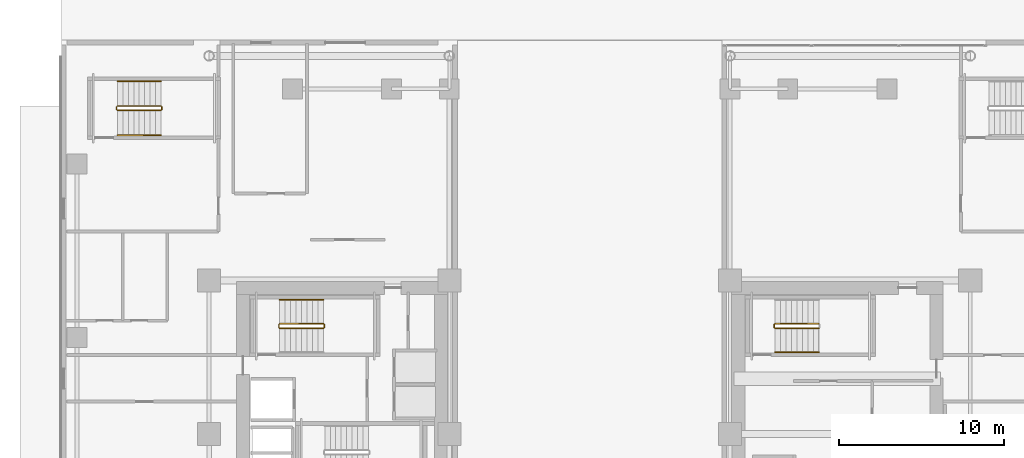
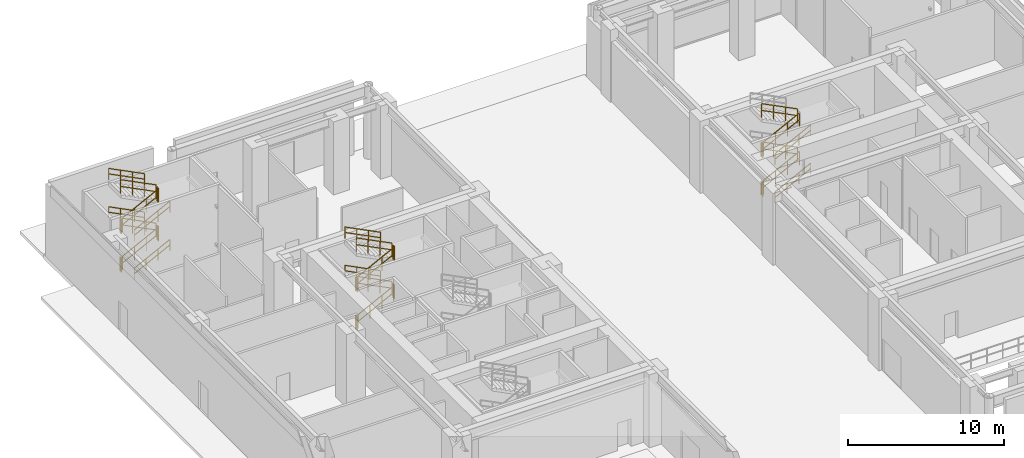
# One storey, part 14 of 17: 30 railings.
"""IFC4 building model written with IfcOpenShell, lengths in metres."""

from ifc_helpers import new_model, si_unit, direction, frame, origin, origin_2d, place, context, subcontext, project, spatial, rectangle, extrude, material, type_object, element, save


model = new_model("IFC4")

# Units and contexts
model_context = context("Model", 3, precision=1e-05, world=origin(), true_north=direction((0.0, 1.0)))
body_context = subcontext(model_context, "Body", "Model", "MODEL_VIEW")
ifc_project = project(units=[si_unit("LENGTHUNIT", "METRE"), si_unit("AREAUNIT", "SQUARE_METRE"), si_unit("VOLUMEUNIT", "CUBIC_METRE"), si_unit("PLANEANGLEUNIT", "RADIAN"), si_unit("MASSUNIT", "GRAM", prefix="KILO")], contexts=[model_context])

# Site, building, storey
site_placement = place(None, origin())
site = spatial("IfcSite", under=ifc_project, at=site_placement, CompositionType="ELEMENT")
building_placement = place(site_placement, origin())
building = spatial("IfcBuilding", under=site, at=building_placement, Name="Ocotamira Hotel", CompositionType="ELEMENT")
storey_placement = place(building_placement, origin())
storey = spatial("IfcBuildingStorey", under=building, at=storey_placement, Name="L01", CompositionType="ELEMENT", Elevation=0.0)

# Railings
ifc_material_1 = material(Name="Brushed stainless steel handrail", Category="steel")
railing_type_1 = type_object("IfcRailingType", Name="RL-HAND-900", PredefinedType="HANDRAIL", material=ifc_material_1)
for number, where, name in (
    (1, (15.8701171875, 36.280029296875, 1.833251953125), "L01 ST-2 stair handrail 2"),
    (2, (15.8701171875, 36.280029296875, 4.833251953125), "L01 ST-2 stair handrail 4"),
):
    element("IfcRailing", number, at=place(storey_placement, frame(where)), inside=storey, type_object=railing_type_1, Name=name, PredefinedType="HANDRAIL", context=body_context, shape_type="SweptSolid", body=[
        extrude(rectangle(XDim=0.048095703125, YDim=0.048095703125, at=origin_2d()), frame((0.0, 0.0, 0.8759765625), z_axis=(-0.892603904193, 0.0, 0.450841735223), x_axis=(0.0, -1.0, 0.0)), (0.0, 0.0, 1.0), 2.957763671875),
        extrude(rectangle(XDim=0.048095703125, YDim=0.048095703125, at=origin_2d()), frame((0.0, 0.0, 0.449951171875), z_axis=(-0.892603904193, 0.0, 0.450841735223), x_axis=(0.0, -1.0, 0.0)), (0.0, 0.0, 1.0), 2.957763671875),
        extrude(rectangle(XDim=0.0419921875, YDim=0.0419921875, at=origin_2d()), origin(), (0.0, 0.0, 1.0), 0.851806640625),
        extrude(rectangle(XDim=0.0419921875, YDim=0.0419921875, at=origin_2d()), frame((-0.880126953125, 0.0, 0.444580078125)), (0.0, 0.0, 1.0), 0.851806640625),
        extrude(rectangle(XDim=0.0419921875, YDim=0.0419921875, at=origin_2d()), frame((-1.760009765625, 0.0, 0.888916015625)), (0.0, 0.0, 1.0), 0.851806640625),
        extrude(rectangle(XDim=0.0419921875, YDim=0.0419921875, at=origin_2d()), frame((-2.64013671875, 0.0, 1.33349609375)), (0.0, 0.0, 1.0), 0.851806640625),
    ])
for number, where, name in (
    (3, (43.22998046875, 33.10009765625, 0.333251953125), "L01 ST-4 stair handrail 1"),
    (4, (43.22998046875, 33.10009765625, 3.333251953125), "L01 ST-4 stair handrail 3"),
    (5, (3.39990234375, 46.25, 0.333251953125), "L01 ST-5 stair handrail 1"),
):
    element("IfcRailing", number, at=place(storey_placement, frame(where)), inside=storey, type_object=railing_type_1, Name=name, PredefinedType="HANDRAIL", context=body_context, shape_type="SweptSolid", body=[
        extrude(rectangle(XDim=0.048095703125, YDim=0.048095703125, at=origin_2d()), frame((0.0, 0.0, 0.8759765625), z_axis=(0.892603904193, 0.0, 0.450841735223), x_axis=(0.0, 1.0, 0.0)), (0.0, 0.0, 1.0), 2.957763671875),
        extrude(rectangle(XDim=0.048095703125, YDim=0.048095703125, at=origin_2d()), frame((0.0, 0.0, 0.449951171875), z_axis=(0.892603904193, 0.0, 0.450841735223), x_axis=(0.0, 1.0, 0.0)), (0.0, 0.0, 1.0), 2.957763671875),
        extrude(rectangle(XDim=0.0419921875, YDim=0.0419921875, at=origin_2d()), origin(), (0.0, 0.0, 1.0), 0.851806640625),
        extrude(rectangle(XDim=0.0419921875, YDim=0.0419921875, at=origin_2d()), frame((0.880126953125, 0.0, 0.444580078125)), (0.0, 0.0, 1.0), 0.851806640625),
        extrude(rectangle(XDim=0.0419921875, YDim=0.0419921875, at=origin_2d()), frame((1.760009765625, 0.0, 0.888916015625)), (0.0, 0.0, 1.0), 0.851806640625),
        extrude(rectangle(XDim=0.0419921875, YDim=0.0419921875, at=origin_2d()), frame((2.64013671875, 0.0, 1.33349609375)), (0.0, 0.0, 1.0), 0.851806640625),
    ])
railing_1_placement = place(storey_placement, frame((6.0400390625, 49.510009765625, 1.833251953125)))
element("IfcRailing", 6, at=railing_1_placement, inside=storey, type_object=railing_type_1, Name="L01 ST-5 stair handrail 2", PredefinedType="HANDRAIL", context=body_context, shape_type="SweptSolid", body=[
    extrude(rectangle(XDim=0.048095703125, YDim=0.048095703125, at=origin_2d()), frame((0.0, 0.0, 0.8759765625), z_axis=(-0.892603904193, 0.0, 0.450841735223), x_axis=(0.0, -1.0, 0.0)), (0.0, 0.0, 1.0), 2.957763671875),
    extrude(rectangle(XDim=0.048095703125, YDim=0.048095703125, at=origin_2d()), frame((0.0, 0.0, 0.449951171875), z_axis=(-0.892603904193, 0.0, 0.450841735223), x_axis=(0.0, -1.0, 0.0)), (0.0, 0.0, 1.0), 2.957763671875),
    extrude(rectangle(XDim=0.0419921875, YDim=0.0419921875, at=origin_2d()), origin(), (0.0, 0.0, 1.0), 0.851806640625),
    extrude(rectangle(XDim=0.0419921875, YDim=0.0419921875, at=origin_2d()), frame((-0.880126953125, 0.0, 0.444580078125)), (0.0, 0.0, 1.0), 0.851806640625),
    extrude(rectangle(XDim=0.0419921875, YDim=0.0419921875, at=origin_2d()), frame((-1.760009765625, 0.0, 0.888916015625)), (0.0, 0.0, 1.0), 0.851806640625),
    extrude(rectangle(XDim=0.0419921875, YDim=0.0419921875, at=origin_2d()), frame((-2.64013671875, 0.0, 1.33349609375)), (0.0, 0.0, 1.0), 0.851806640625),
])
railing_2_placement = place(storey_placement, frame((3.39990234375, 46.25, 3.333251953125)))
element("IfcRailing", 7, at=railing_2_placement, inside=storey, type_object=railing_type_1, Name="L01 ST-5 stair handrail 3", PredefinedType="HANDRAIL", context=body_context, shape_type="SweptSolid", body=[
    extrude(rectangle(XDim=0.048095703125, YDim=0.048095703125, at=origin_2d()), frame((0.0, 0.0, 0.8759765625), z_axis=(0.892603904193, 0.0, 0.450841735223), x_axis=(0.0, 1.0, 0.0)), (0.0, 0.0, 1.0), 2.957763671875),
    extrude(rectangle(XDim=0.048095703125, YDim=0.048095703125, at=origin_2d()), frame((0.0, 0.0, 0.449951171875), z_axis=(0.892603904193, 0.0, 0.450841735223), x_axis=(0.0, 1.0, 0.0)), (0.0, 0.0, 1.0), 2.957763671875),
    extrude(rectangle(XDim=0.0419921875, YDim=0.0419921875, at=origin_2d()), origin(), (0.0, 0.0, 1.0), 0.851806640625),
    extrude(rectangle(XDim=0.0419921875, YDim=0.0419921875, at=origin_2d()), frame((0.880126953125, 0.0, 0.444580078125)), (0.0, 0.0, 1.0), 0.851806640625),
    extrude(rectangle(XDim=0.0419921875, YDim=0.0419921875, at=origin_2d()), frame((1.760009765625, 0.0, 0.888916015625)), (0.0, 0.0, 1.0), 0.851806640625),
    extrude(rectangle(XDim=0.0419921875, YDim=0.0419921875, at=origin_2d()), frame((2.64013671875, 0.0, 1.33349609375)), (0.0, 0.0, 1.0), 0.851806640625),
])
railing_3_placement = place(storey_placement, frame((6.0400390625, 49.510009765625, 4.833251953125)))
element("IfcRailing", 8, at=railing_3_placement, inside=storey, type_object=railing_type_1, Name="L01 ST-5 stair handrail 4", PredefinedType="HANDRAIL", context=body_context, shape_type="SweptSolid", body=[
    extrude(rectangle(XDim=0.048095703125, YDim=0.048095703125, at=origin_2d()), frame((0.0, 0.0, 0.8759765625), z_axis=(-0.892603904193, 0.0, 0.450841735223), x_axis=(0.0, -1.0, 0.0)), (0.0, 0.0, 1.0), 2.957763671875),
    extrude(rectangle(XDim=0.048095703125, YDim=0.048095703125, at=origin_2d()), frame((0.0, 0.0, 0.449951171875), z_axis=(-0.892603904193, 0.0, 0.450841735223), x_axis=(0.0, -1.0, 0.0)), (0.0, 0.0, 1.0), 2.957763671875),
    extrude(rectangle(XDim=0.0419921875, YDim=0.0419921875, at=origin_2d()), origin(), (0.0, 0.0, 1.0), 0.851806640625),
    extrude(rectangle(XDim=0.0419921875, YDim=0.0419921875, at=origin_2d()), frame((-0.880126953125, 0.0, 0.444580078125)), (0.0, 0.0, 1.0), 0.851806640625),
    extrude(rectangle(XDim=0.0419921875, YDim=0.0419921875, at=origin_2d()), frame((-1.760009765625, 0.0, 0.888916015625)), (0.0, 0.0, 1.0), 0.851806640625),
    extrude(rectangle(XDim=0.0419921875, YDim=0.0419921875, at=origin_2d()), frame((-2.64013671875, 0.0, 1.33349609375)), (0.0, 0.0, 1.0), 0.851806640625),
])
ifc_material_2 = material(Name="Painted steel stair guardrail", Category="steel")
railing_type_2 = type_object("IfcRailingType", Name="RL-STAIR-1100", PredefinedType="GUARDRAIL", material=ifc_material_2)
railing_4_placement = place(storey_placement, frame((13.22998046875, 34.56005859375, 0.166748046875)))
element("IfcRailing", 9, at=railing_4_placement, inside=storey, type_object=railing_type_2, Name="L01 ST-2 stair guard 1", PredefinedType="GUARDRAIL", context=body_context, shape_type="SweptSolid", body=[
    extrude(rectangle(XDim=0.048095703125, YDim=0.048095703125, at=origin_2d()), frame((0.0, 0.0, 1.076171875), z_axis=(0.892637119617, 0.0, 0.450775967286), x_axis=(0.0, 1.0, 0.0)), (0.0, 0.0, 1.0), 2.957763671875),
    extrude(rectangle(XDim=0.048095703125, YDim=0.048095703125, at=origin_2d()), frame((0.0, 0.0, 0.550048828125), z_axis=(0.892637119617, 0.0, 0.450775967286), x_axis=(0.0, 1.0, 0.0)), (0.0, 0.0, 1.0), 2.957763671875),
    extrude(rectangle(XDim=0.0419921875, YDim=0.0419921875, at=origin_2d()), origin(), (0.0, 0.0, 1.0), 1.052001953125),
    extrude(rectangle(XDim=0.0419921875, YDim=0.0419921875, at=origin_2d()), frame((0.880126953125, 0.0, 0.4443359375)), (0.0, 0.0, 1.0), 1.052001953125),
    extrude(rectangle(XDim=0.0419921875, YDim=0.0419921875, at=origin_2d()), frame((1.760009765625, 0.0, 0.888916015625)), (0.0, 0.0, 1.0), 1.052001953125),
    extrude(rectangle(XDim=0.0419921875, YDim=0.0419921875, at=origin_2d()), frame((2.64013671875, 0.0, 1.333251953125)), (0.0, 0.0, 1.0), 1.052001953125),
])
railing_5_placement = place(storey_placement, frame((15.919921875, 34.610107421875, 1.5)))
element("IfcRailing", 10, at=railing_5_placement, inside=storey, type_object=railing_type_2, Name="L01 ST-2 stair guard 2", PredefinedType="GUARDRAIL", context=body_context, shape_type="SweptSolid", body=[
    extrude(rectangle(XDim=0.048095703125, YDim=0.048095703125, at=origin_2d()), frame((0.0, 0.0, 1.076171875), z_axis=(0.0, 1.0, 0.0), x_axis=(-1.0, 0.0, 0.0)), (0.0, 0.0, 1.0), 0.159912109375),
    extrude(rectangle(XDim=0.048095703125, YDim=0.048095703125, at=origin_2d()), frame((0.0, 0.0, 0.550048828125), z_axis=(0.0, 1.0, 0.0), x_axis=(-1.0, 0.0, 0.0)), (0.0, 0.0, 1.0), 0.159912109375),
    extrude(rectangle(XDim=0.0419921875, YDim=0.0419921875, at=origin_2d()), origin(), (0.0, 0.0, 1.0), 1.052001953125),
    extrude(rectangle(XDim=0.0419921875, YDim=0.0419921875, at=origin_2d()), frame((0.0, 0.159912109375, 0.0)), (0.0, 0.0, 1.0), 1.052001953125),
])
railing_6_placement = place(storey_placement, frame((15.8701171875, 34.820068359375, 1.666748046875)))
element("IfcRailing", 11, at=railing_6_placement, inside=storey, type_object=railing_type_2, Name="L01 ST-2 stair guard 3", PredefinedType="GUARDRAIL", context=body_context, shape_type="SweptSolid", body=[
    extrude(rectangle(XDim=0.048095703125, YDim=0.048095703125, at=origin_2d()), frame((0.0, 0.0, 1.076171875), z_axis=(-0.892637119617, 0.0, 0.450775967286), x_axis=(0.0, -1.0, 0.0)), (0.0, 0.0, 1.0), 2.957763671875),
    extrude(rectangle(XDim=0.048095703125, YDim=0.048095703125, at=origin_2d()), frame((0.0, 0.0, 0.550048828125), z_axis=(-0.892637119617, 0.0, 0.450775967286), x_axis=(0.0, -1.0, 0.0)), (0.0, 0.0, 1.0), 2.957763671875),
    extrude(rectangle(XDim=0.0419921875, YDim=0.0419921875, at=origin_2d()), origin(), (0.0, 0.0, 1.0), 1.052001953125),
    extrude(rectangle(XDim=0.0419921875, YDim=0.0419921875, at=origin_2d()), frame((-0.880126953125, 0.0, 0.4443359375)), (0.0, 0.0, 1.0), 1.052001953125),
    extrude(rectangle(XDim=0.0419921875, YDim=0.0419921875, at=origin_2d()), frame((-1.760009765625, 0.0, 0.888916015625)), (0.0, 0.0, 1.0), 1.052001953125),
    extrude(rectangle(XDim=0.0419921875, YDim=0.0419921875, at=origin_2d()), frame((-2.64013671875, 0.0, 1.333251953125)), (0.0, 0.0, 1.0), 1.052001953125),
])
railing_7_placement = place(storey_placement, frame((13.179931640625, 34.610107421875, 3.0)))
element("IfcRailing", 12, at=railing_7_placement, inside=storey, type_object=railing_type_2, Name="L01 ST-2 stair guard 4", PredefinedType="GUARDRAIL", context=body_context, shape_type="SweptSolid", body=[
    extrude(rectangle(XDim=0.048095703125, YDim=0.048095703125, at=origin_2d()), frame((0.0, 0.0, 1.076171875), z_axis=(0.0, 1.0, 0.0), x_axis=(-1.0, 0.0, 0.0)), (0.0, 0.0, 1.0), 0.159912109375),
    extrude(rectangle(XDim=0.048095703125, YDim=0.048095703125, at=origin_2d()), frame((0.0, 0.0, 0.550048828125), z_axis=(0.0, 1.0, 0.0), x_axis=(-1.0, 0.0, 0.0)), (0.0, 0.0, 1.0), 0.159912109375),
    extrude(rectangle(XDim=0.0419921875, YDim=0.0419921875, at=origin_2d()), origin(), (0.0, 0.0, 1.0), 1.052001953125),
    extrude(rectangle(XDim=0.0419921875, YDim=0.0419921875, at=origin_2d()), frame((0.0, 0.159912109375, 0.0)), (0.0, 0.0, 1.0), 1.052001953125),
])
railing_8_placement = place(storey_placement, frame((13.22998046875, 34.56005859375, 3.166748046875)))
element("IfcRailing", 13, at=railing_8_placement, inside=storey, type_object=railing_type_2, Name="L01 ST-2 stair guard 5", PredefinedType="GUARDRAIL", context=body_context, shape_type="SweptSolid", body=[
    extrude(rectangle(XDim=0.048095703125, YDim=0.048095703125, at=origin_2d()), frame((0.0, 0.0, 1.076171875), z_axis=(0.892637119617, 0.0, 0.450775967286), x_axis=(0.0, 1.0, 0.0)), (0.0, 0.0, 1.0), 2.957763671875),
    extrude(rectangle(XDim=0.048095703125, YDim=0.048095703125, at=origin_2d()), frame((0.0, 0.0, 0.550048828125), z_axis=(0.892637119617, 0.0, 0.450775967286), x_axis=(0.0, 1.0, 0.0)), (0.0, 0.0, 1.0), 2.957763671875),
    extrude(rectangle(XDim=0.0419921875, YDim=0.0419921875, at=origin_2d()), origin(), (0.0, 0.0, 1.0), 1.052001953125),
    extrude(rectangle(XDim=0.0419921875, YDim=0.0419921875, at=origin_2d()), frame((0.880126953125, 0.0, 0.4443359375)), (0.0, 0.0, 1.0), 1.052001953125),
    extrude(rectangle(XDim=0.0419921875, YDim=0.0419921875, at=origin_2d()), frame((1.760009765625, 0.0, 0.888916015625)), (0.0, 0.0, 1.0), 1.052001953125),
    extrude(rectangle(XDim=0.0419921875, YDim=0.0419921875, at=origin_2d()), frame((2.64013671875, 0.0, 1.333251953125)), (0.0, 0.0, 1.0), 1.052001953125),
])
railing_9_placement = place(storey_placement, frame((15.919921875, 34.610107421875, 4.5)))
element("IfcRailing", 14, at=railing_9_placement, inside=storey, type_object=railing_type_2, Name="L01 ST-2 stair guard 6", PredefinedType="GUARDRAIL", context=body_context, shape_type="SweptSolid", body=[
    extrude(rectangle(XDim=0.048095703125, YDim=0.048095703125, at=origin_2d()), frame((0.0, 0.0, 1.076171875), z_axis=(0.0, 1.0, 0.0), x_axis=(-1.0, 0.0, 0.0)), (0.0, 0.0, 1.0), 0.159912109375),
    extrude(rectangle(XDim=0.048095703125, YDim=0.048095703125, at=origin_2d()), frame((0.0, 0.0, 0.550048828125), z_axis=(0.0, 1.0, 0.0), x_axis=(-1.0, 0.0, 0.0)), (0.0, 0.0, 1.0), 0.159912109375),
    extrude(rectangle(XDim=0.0419921875, YDim=0.0419921875, at=origin_2d()), origin(), (0.0, 0.0, 1.0), 1.052001953125),
    extrude(rectangle(XDim=0.0419921875, YDim=0.0419921875, at=origin_2d()), frame((0.0, 0.159912109375, 0.0)), (0.0, 0.0, 1.0), 1.052001953125),
])
railing_10_placement = place(storey_placement, frame((15.8701171875, 34.820068359375, 4.666748046875)))
element("IfcRailing", 15, at=railing_10_placement, inside=storey, type_object=railing_type_2, Name="L01 ST-2 stair guard 7", PredefinedType="GUARDRAIL", context=body_context, shape_type="SweptSolid", body=[
    extrude(rectangle(XDim=0.048095703125, YDim=0.048095703125, at=origin_2d()), frame((0.0, 0.0, 1.076171875), z_axis=(-0.892637119617, 0.0, 0.450775967286), x_axis=(0.0, -1.0, 0.0)), (0.0, 0.0, 1.0), 2.957763671875),
    extrude(rectangle(XDim=0.048095703125, YDim=0.048095703125, at=origin_2d()), frame((0.0, 0.0, 0.550048828125), z_axis=(-0.892637119617, 0.0, 0.450775967286), x_axis=(0.0, -1.0, 0.0)), (0.0, 0.0, 1.0), 2.957763671875),
    extrude(rectangle(XDim=0.0419921875, YDim=0.0419921875, at=origin_2d()), origin(), (0.0, 0.0, 1.0), 1.052001953125),
    extrude(rectangle(XDim=0.0419921875, YDim=0.0419921875, at=origin_2d()), frame((-0.880126953125, 0.0, 0.4443359375)), (0.0, 0.0, 1.0), 1.052001953125),
    extrude(rectangle(XDim=0.0419921875, YDim=0.0419921875, at=origin_2d()), frame((-1.760009765625, 0.0, 0.888916015625)), (0.0, 0.0, 1.0), 1.052001953125),
    extrude(rectangle(XDim=0.0419921875, YDim=0.0419921875, at=origin_2d()), frame((-2.64013671875, 0.0, 1.333251953125)), (0.0, 0.0, 1.0), 1.052001953125),
])
railing_11_placement = place(storey_placement, frame((13.179931640625, 34.610107421875, 0.0)))
element("IfcRailing", 16, at=railing_11_placement, inside=storey, type_object=railing_type_2, Name="L01 ST-2 stair guard 8", PredefinedType="GUARDRAIL", context=body_context, shape_type="SweptSolid", body=[
    extrude(rectangle(XDim=0.048095703125, YDim=0.048095703125, at=origin_2d()), frame((0.0, 0.0, 1.076171875), z_axis=(0.0, 1.0, 0.0), x_axis=(-1.0, 0.0, 0.0)), (0.0, 0.0, 1.0), 0.159912109375),
    extrude(rectangle(XDim=0.048095703125, YDim=0.048095703125, at=origin_2d()), frame((0.0, 0.0, 0.550048828125), z_axis=(0.0, 1.0, 0.0), x_axis=(-1.0, 0.0, 0.0)), (0.0, 0.0, 1.0), 0.159912109375),
    extrude(rectangle(XDim=0.0419921875, YDim=0.0419921875, at=origin_2d()), origin(), (0.0, 0.0, 1.0), 1.052001953125),
    extrude(rectangle(XDim=0.0419921875, YDim=0.0419921875, at=origin_2d()), frame((0.0, 0.159912109375, 0.0)), (0.0, 0.0, 1.0), 1.052001953125),
])
railing_12_placement = place(storey_placement, frame((43.22998046875, 34.56005859375, 0.166748046875)))
element("IfcRailing", 17, at=railing_12_placement, inside=storey, type_object=railing_type_2, Name="L01 ST-4 stair guard 1", PredefinedType="GUARDRAIL", context=body_context, shape_type="SweptSolid", body=[
    extrude(rectangle(XDim=0.048095703125, YDim=0.048095703125, at=origin_2d()), frame((0.0, 0.0, 1.076171875), z_axis=(0.892637119617, 0.0, 0.450775967286), x_axis=(0.0, 1.0, 0.0)), (0.0, 0.0, 1.0), 2.957763671875),
    extrude(rectangle(XDim=0.048095703125, YDim=0.048095703125, at=origin_2d()), frame((0.0, 0.0, 0.550048828125), z_axis=(0.892637119617, 0.0, 0.450775967286), x_axis=(0.0, 1.0, 0.0)), (0.0, 0.0, 1.0), 2.957763671875),
    extrude(rectangle(XDim=0.0419921875, YDim=0.0419921875, at=origin_2d()), origin(), (0.0, 0.0, 1.0), 1.052001953125),
    extrude(rectangle(XDim=0.0419921875, YDim=0.0419921875, at=origin_2d()), frame((0.880126953125, 0.0, 0.4443359375)), (0.0, 0.0, 1.0), 1.052001953125),
    extrude(rectangle(XDim=0.0419921875, YDim=0.0419921875, at=origin_2d()), frame((1.760009765625, 0.0, 0.888916015625)), (0.0, 0.0, 1.0), 1.052001953125),
    extrude(rectangle(XDim=0.0419921875, YDim=0.0419921875, at=origin_2d()), frame((2.64013671875, 0.0, 1.333251953125)), (0.0, 0.0, 1.0), 1.052001953125),
])
railing_13_placement = place(storey_placement, frame((45.8701171875, 34.820068359375, 1.666748046875)))
element("IfcRailing", 18, at=railing_13_placement, inside=storey, type_object=railing_type_2, Name="L01 ST-4 stair guard 3", PredefinedType="GUARDRAIL", context=body_context, shape_type="SweptSolid", body=[
    extrude(rectangle(XDim=0.048095703125, YDim=0.048095703125, at=origin_2d()), frame((0.0, 0.0, 1.076171875), z_axis=(-0.892637119617, 0.0, 0.450775967286), x_axis=(0.0, -1.0, 0.0)), (0.0, 0.0, 1.0), 2.957763671875),
    extrude(rectangle(XDim=0.048095703125, YDim=0.048095703125, at=origin_2d()), frame((0.0, 0.0, 0.550048828125), z_axis=(-0.892637119617, 0.0, 0.450775967286), x_axis=(0.0, -1.0, 0.0)), (0.0, 0.0, 1.0), 2.957763671875),
    extrude(rectangle(XDim=0.0419921875, YDim=0.0419921875, at=origin_2d()), origin(), (0.0, 0.0, 1.0), 1.052001953125),
    extrude(rectangle(XDim=0.0419921875, YDim=0.0419921875, at=origin_2d()), frame((-0.880126953125, 0.0, 0.4443359375)), (0.0, 0.0, 1.0), 1.052001953125),
    extrude(rectangle(XDim=0.0419921875, YDim=0.0419921875, at=origin_2d()), frame((-1.760009765625, 0.0, 0.888916015625)), (0.0, 0.0, 1.0), 1.052001953125),
    extrude(rectangle(XDim=0.0419921875, YDim=0.0419921875, at=origin_2d()), frame((-2.64013671875, 0.0, 1.333251953125)), (0.0, 0.0, 1.0), 1.052001953125),
])
railing_14_placement = place(storey_placement, frame((43.179931640625, 34.610107421875, 3.0)))
element("IfcRailing", 19, at=railing_14_placement, inside=storey, type_object=railing_type_2, Name="L01 ST-4 stair guard 4", PredefinedType="GUARDRAIL", context=body_context, shape_type="SweptSolid", body=[
    extrude(rectangle(XDim=0.048095703125, YDim=0.048095703125, at=origin_2d()), frame((0.0, 0.0, 1.076171875), z_axis=(0.0, 1.0, 0.0), x_axis=(-1.0, 0.0, 0.0)), (0.0, 0.0, 1.0), 0.159912109375),
    extrude(rectangle(XDim=0.048095703125, YDim=0.048095703125, at=origin_2d()), frame((0.0, 0.0, 0.550048828125), z_axis=(0.0, 1.0, 0.0), x_axis=(-1.0, 0.0, 0.0)), (0.0, 0.0, 1.0), 0.159912109375),
    extrude(rectangle(XDim=0.0419921875, YDim=0.0419921875, at=origin_2d()), origin(), (0.0, 0.0, 1.0), 1.052001953125),
    extrude(rectangle(XDim=0.0419921875, YDim=0.0419921875, at=origin_2d()), frame((0.0, 0.159912109375, 0.0)), (0.0, 0.0, 1.0), 1.052001953125),
])
railing_15_placement = place(storey_placement, frame((43.22998046875, 34.56005859375, 3.166748046875)))
element("IfcRailing", 20, at=railing_15_placement, inside=storey, type_object=railing_type_2, Name="L01 ST-4 stair guard 5", PredefinedType="GUARDRAIL", context=body_context, shape_type="SweptSolid", body=[
    extrude(rectangle(XDim=0.048095703125, YDim=0.048095703125, at=origin_2d()), frame((0.0, 0.0, 1.076171875), z_axis=(0.892637119617, 0.0, 0.450775967286), x_axis=(0.0, 1.0, 0.0)), (0.0, 0.0, 1.0), 2.957763671875),
    extrude(rectangle(XDim=0.048095703125, YDim=0.048095703125, at=origin_2d()), frame((0.0, 0.0, 0.550048828125), z_axis=(0.892637119617, 0.0, 0.450775967286), x_axis=(0.0, 1.0, 0.0)), (0.0, 0.0, 1.0), 2.957763671875),
    extrude(rectangle(XDim=0.0419921875, YDim=0.0419921875, at=origin_2d()), origin(), (0.0, 0.0, 1.0), 1.052001953125),
    extrude(rectangle(XDim=0.0419921875, YDim=0.0419921875, at=origin_2d()), frame((0.880126953125, 0.0, 0.4443359375)), (0.0, 0.0, 1.0), 1.052001953125),
    extrude(rectangle(XDim=0.0419921875, YDim=0.0419921875, at=origin_2d()), frame((1.760009765625, 0.0, 0.888916015625)), (0.0, 0.0, 1.0), 1.052001953125),
    extrude(rectangle(XDim=0.0419921875, YDim=0.0419921875, at=origin_2d()), frame((2.64013671875, 0.0, 1.333251953125)), (0.0, 0.0, 1.0), 1.052001953125),
])
railing_16_placement = place(storey_placement, frame((45.8701171875, 34.820068359375, 4.666748046875)))
element("IfcRailing", 21, at=railing_16_placement, inside=storey, type_object=railing_type_2, Name="L01 ST-4 stair guard 7", PredefinedType="GUARDRAIL", context=body_context, shape_type="SweptSolid", body=[
    extrude(rectangle(XDim=0.048095703125, YDim=0.048095703125, at=origin_2d()), frame((0.0, 0.0, 1.076171875), z_axis=(-0.892637119617, 0.0, 0.450775967286), x_axis=(0.0, -1.0, 0.0)), (0.0, 0.0, 1.0), 2.957763671875),
    extrude(rectangle(XDim=0.048095703125, YDim=0.048095703125, at=origin_2d()), frame((0.0, 0.0, 0.550048828125), z_axis=(-0.892637119617, 0.0, 0.450775967286), x_axis=(0.0, -1.0, 0.0)), (0.0, 0.0, 1.0), 2.957763671875),
    extrude(rectangle(XDim=0.0419921875, YDim=0.0419921875, at=origin_2d()), origin(), (0.0, 0.0, 1.0), 1.052001953125),
    extrude(rectangle(XDim=0.0419921875, YDim=0.0419921875, at=origin_2d()), frame((-0.880126953125, 0.0, 0.4443359375)), (0.0, 0.0, 1.0), 1.052001953125),
    extrude(rectangle(XDim=0.0419921875, YDim=0.0419921875, at=origin_2d()), frame((-1.760009765625, 0.0, 0.888916015625)), (0.0, 0.0, 1.0), 1.052001953125),
    extrude(rectangle(XDim=0.0419921875, YDim=0.0419921875, at=origin_2d()), frame((-2.64013671875, 0.0, 1.333251953125)), (0.0, 0.0, 1.0), 1.052001953125),
])
railing_17_placement = place(storey_placement, frame((43.179931640625, 34.610107421875, 0.0)))
element("IfcRailing", 22, at=railing_17_placement, inside=storey, type_object=railing_type_2, Name="L01 ST-4 stair guard 8", PredefinedType="GUARDRAIL", context=body_context, shape_type="SweptSolid", body=[
    extrude(rectangle(XDim=0.048095703125, YDim=0.048095703125, at=origin_2d()), frame((0.0, 0.0, 1.076171875), z_axis=(0.0, 1.0, 0.0), x_axis=(-1.0, 0.0, 0.0)), (0.0, 0.0, 1.0), 0.159912109375),
    extrude(rectangle(XDim=0.048095703125, YDim=0.048095703125, at=origin_2d()), frame((0.0, 0.0, 0.550048828125), z_axis=(0.0, 1.0, 0.0), x_axis=(-1.0, 0.0, 0.0)), (0.0, 0.0, 1.0), 0.159912109375),
    extrude(rectangle(XDim=0.0419921875, YDim=0.0419921875, at=origin_2d()), origin(), (0.0, 0.0, 1.0), 1.052001953125),
    extrude(rectangle(XDim=0.0419921875, YDim=0.0419921875, at=origin_2d()), frame((0.0, 0.159912109375, 0.0)), (0.0, 0.0, 1.0), 1.052001953125),
])
railing_18_placement = place(storey_placement, frame((3.39990234375, 47.75, 0.166748046875)))
element("IfcRailing", 23, at=railing_18_placement, inside=storey, type_object=railing_type_2, Name="L01 ST-5 stair guard 1", PredefinedType="GUARDRAIL", context=body_context, shape_type="SweptSolid", body=[
    extrude(rectangle(XDim=0.048095703125, YDim=0.048095703125, at=origin_2d()), frame((0.0, 0.0, 1.076171875), z_axis=(0.892637119617, 0.0, 0.450775967286), x_axis=(0.0, 1.0, 0.0)), (0.0, 0.0, 1.0), 2.957763671875),
    extrude(rectangle(XDim=0.048095703125, YDim=0.048095703125, at=origin_2d()), frame((0.0, 0.0, 0.550048828125), z_axis=(0.892637119617, 0.0, 0.450775967286), x_axis=(0.0, 1.0, 0.0)), (0.0, 0.0, 1.0), 2.957763671875),
    extrude(rectangle(XDim=0.0419921875, YDim=0.0419921875, at=origin_2d()), origin(), (0.0, 0.0, 1.0), 1.052001953125),
    extrude(rectangle(XDim=0.0419921875, YDim=0.0419921875, at=origin_2d()), frame((0.880126953125, 0.0, 0.4443359375)), (0.0, 0.0, 1.0), 1.052001953125),
    extrude(rectangle(XDim=0.0419921875, YDim=0.0419921875, at=origin_2d()), frame((1.760009765625, 0.0, 0.888916015625)), (0.0, 0.0, 1.0), 1.052001953125),
    extrude(rectangle(XDim=0.0419921875, YDim=0.0419921875, at=origin_2d()), frame((2.64013671875, 0.0, 1.333251953125)), (0.0, 0.0, 1.0), 1.052001953125),
])
railing_19_placement = place(storey_placement, frame((6.090087890625, 47.800048828125, 1.5)))
element("IfcRailing", 24, at=railing_19_placement, inside=storey, type_object=railing_type_2, Name="L01 ST-5 stair guard 2", PredefinedType="GUARDRAIL", context=body_context, shape_type="SweptSolid", body=[
    extrude(rectangle(XDim=0.048095703125, YDim=0.048095703125, at=origin_2d()), frame((0.0, 0.0, 1.076171875), z_axis=(0.0, 1.0, 0.0), x_axis=(-1.0, 0.0, 0.0)), (0.0, 0.0, 1.0), 0.159912109375),
    extrude(rectangle(XDim=0.048095703125, YDim=0.048095703125, at=origin_2d()), frame((0.0, 0.0, 0.550048828125), z_axis=(0.0, 1.0, 0.0), x_axis=(-1.0, 0.0, 0.0)), (0.0, 0.0, 1.0), 0.159912109375),
    extrude(rectangle(XDim=0.0419921875, YDim=0.0419921875, at=origin_2d()), origin(), (0.0, 0.0, 1.0), 1.052001953125),
    extrude(rectangle(XDim=0.0419921875, YDim=0.0419921875, at=origin_2d()), frame((0.0, 0.159912109375, 0.0)), (0.0, 0.0, 1.0), 1.052001953125),
])
railing_20_placement = place(storey_placement, frame((6.0400390625, 48.010009765625, 1.666748046875)))
element("IfcRailing", 25, at=railing_20_placement, inside=storey, type_object=railing_type_2, Name="L01 ST-5 stair guard 3", PredefinedType="GUARDRAIL", context=body_context, shape_type="SweptSolid", body=[
    extrude(rectangle(XDim=0.048095703125, YDim=0.048095703125, at=origin_2d()), frame((0.0, 0.0, 1.076171875), z_axis=(-0.892637119617, 0.0, 0.450775967286), x_axis=(0.0, -1.0, 0.0)), (0.0, 0.0, 1.0), 2.957763671875),
    extrude(rectangle(XDim=0.048095703125, YDim=0.048095703125, at=origin_2d()), frame((0.0, 0.0, 0.550048828125), z_axis=(-0.892637119617, 0.0, 0.450775967286), x_axis=(0.0, -1.0, 0.0)), (0.0, 0.0, 1.0), 2.957763671875),
    extrude(rectangle(XDim=0.0419921875, YDim=0.0419921875, at=origin_2d()), origin(), (0.0, 0.0, 1.0), 1.052001953125),
    extrude(rectangle(XDim=0.0419921875, YDim=0.0419921875, at=origin_2d()), frame((-0.880126953125, 0.0, 0.4443359375)), (0.0, 0.0, 1.0), 1.052001953125),
    extrude(rectangle(XDim=0.0419921875, YDim=0.0419921875, at=origin_2d()), frame((-1.760009765625, 0.0, 0.888916015625)), (0.0, 0.0, 1.0), 1.052001953125),
    extrude(rectangle(XDim=0.0419921875, YDim=0.0419921875, at=origin_2d()), frame((-2.64013671875, 0.0, 1.333251953125)), (0.0, 0.0, 1.0), 1.052001953125),
])
railing_21_placement = place(storey_placement, frame((3.35009765625, 47.800048828125, 3.0)))
element("IfcRailing", 26, at=railing_21_placement, inside=storey, type_object=railing_type_2, Name="L01 ST-5 stair guard 4", PredefinedType="GUARDRAIL", context=body_context, shape_type="SweptSolid", body=[
    extrude(rectangle(XDim=0.048095703125, YDim=0.048095703125, at=origin_2d()), frame((0.0, 0.0, 1.076171875), z_axis=(0.0, 1.0, 0.0), x_axis=(-1.0, 0.0, 0.0)), (0.0, 0.0, 1.0), 0.159912109375),
    extrude(rectangle(XDim=0.048095703125, YDim=0.048095703125, at=origin_2d()), frame((0.0, 0.0, 0.550048828125), z_axis=(0.0, 1.0, 0.0), x_axis=(-1.0, 0.0, 0.0)), (0.0, 0.0, 1.0), 0.159912109375),
    extrude(rectangle(XDim=0.0419921875, YDim=0.0419921875, at=origin_2d()), origin(), (0.0, 0.0, 1.0), 1.052001953125),
    extrude(rectangle(XDim=0.0419921875, YDim=0.0419921875, at=origin_2d()), frame((0.0, 0.159912109375, 0.0)), (0.0, 0.0, 1.0), 1.052001953125),
])
railing_22_placement = place(storey_placement, frame((3.39990234375, 47.75, 3.166748046875)))
element("IfcRailing", 27, at=railing_22_placement, inside=storey, type_object=railing_type_2, Name="L01 ST-5 stair guard 5", PredefinedType="GUARDRAIL", context=body_context, shape_type="SweptSolid", body=[
    extrude(rectangle(XDim=0.048095703125, YDim=0.048095703125, at=origin_2d()), frame((0.0, 0.0, 1.076171875), z_axis=(0.892637119617, 0.0, 0.450775967286), x_axis=(0.0, 1.0, 0.0)), (0.0, 0.0, 1.0), 2.957763671875),
    extrude(rectangle(XDim=0.048095703125, YDim=0.048095703125, at=origin_2d()), frame((0.0, 0.0, 0.550048828125), z_axis=(0.892637119617, 0.0, 0.450775967286), x_axis=(0.0, 1.0, 0.0)), (0.0, 0.0, 1.0), 2.957763671875),
    extrude(rectangle(XDim=0.0419921875, YDim=0.0419921875, at=origin_2d()), origin(), (0.0, 0.0, 1.0), 1.052001953125),
    extrude(rectangle(XDim=0.0419921875, YDim=0.0419921875, at=origin_2d()), frame((0.880126953125, 0.0, 0.4443359375)), (0.0, 0.0, 1.0), 1.052001953125),
    extrude(rectangle(XDim=0.0419921875, YDim=0.0419921875, at=origin_2d()), frame((1.760009765625, 0.0, 0.888916015625)), (0.0, 0.0, 1.0), 1.052001953125),
    extrude(rectangle(XDim=0.0419921875, YDim=0.0419921875, at=origin_2d()), frame((2.64013671875, 0.0, 1.333251953125)), (0.0, 0.0, 1.0), 1.052001953125),
])
railing_23_placement = place(storey_placement, frame((6.090087890625, 47.800048828125, 4.5)))
element("IfcRailing", 28, at=railing_23_placement, inside=storey, type_object=railing_type_2, Name="L01 ST-5 stair guard 6", PredefinedType="GUARDRAIL", context=body_context, shape_type="SweptSolid", body=[
    extrude(rectangle(XDim=0.048095703125, YDim=0.048095703125, at=origin_2d()), frame((0.0, 0.0, 1.076171875), z_axis=(0.0, 1.0, 0.0), x_axis=(-1.0, 0.0, 0.0)), (0.0, 0.0, 1.0), 0.159912109375),
    extrude(rectangle(XDim=0.048095703125, YDim=0.048095703125, at=origin_2d()), frame((0.0, 0.0, 0.550048828125), z_axis=(0.0, 1.0, 0.0), x_axis=(-1.0, 0.0, 0.0)), (0.0, 0.0, 1.0), 0.159912109375),
    extrude(rectangle(XDim=0.0419921875, YDim=0.0419921875, at=origin_2d()), origin(), (0.0, 0.0, 1.0), 1.052001953125),
    extrude(rectangle(XDim=0.0419921875, YDim=0.0419921875, at=origin_2d()), frame((0.0, 0.159912109375, 0.0)), (0.0, 0.0, 1.0), 1.052001953125),
])
railing_24_placement = place(storey_placement, frame((6.0400390625, 48.010009765625, 4.666748046875)))
element("IfcRailing", 29, at=railing_24_placement, inside=storey, type_object=railing_type_2, Name="L01 ST-5 stair guard 7", PredefinedType="GUARDRAIL", context=body_context, shape_type="SweptSolid", body=[
    extrude(rectangle(XDim=0.048095703125, YDim=0.048095703125, at=origin_2d()), frame((0.0, 0.0, 1.076171875), z_axis=(-0.892637119617, 0.0, 0.450775967286), x_axis=(0.0, -1.0, 0.0)), (0.0, 0.0, 1.0), 2.957763671875),
    extrude(rectangle(XDim=0.048095703125, YDim=0.048095703125, at=origin_2d()), frame((0.0, 0.0, 0.550048828125), z_axis=(-0.892637119617, 0.0, 0.450775967286), x_axis=(0.0, -1.0, 0.0)), (0.0, 0.0, 1.0), 2.957763671875),
    extrude(rectangle(XDim=0.0419921875, YDim=0.0419921875, at=origin_2d()), origin(), (0.0, 0.0, 1.0), 1.052001953125),
    extrude(rectangle(XDim=0.0419921875, YDim=0.0419921875, at=origin_2d()), frame((-0.880126953125, 0.0, 0.4443359375)), (0.0, 0.0, 1.0), 1.052001953125),
    extrude(rectangle(XDim=0.0419921875, YDim=0.0419921875, at=origin_2d()), frame((-1.760009765625, 0.0, 0.888916015625)), (0.0, 0.0, 1.0), 1.052001953125),
    extrude(rectangle(XDim=0.0419921875, YDim=0.0419921875, at=origin_2d()), frame((-2.64013671875, 0.0, 1.333251953125)), (0.0, 0.0, 1.0), 1.052001953125),
])
railing_25_placement = place(storey_placement, frame((3.35009765625, 47.800048828125, 0.0)))
element("IfcRailing", 30, at=railing_25_placement, inside=storey, type_object=railing_type_2, Name="L01 ST-5 stair guard 8", PredefinedType="GUARDRAIL", context=body_context, shape_type="SweptSolid", body=[
    extrude(rectangle(XDim=0.048095703125, YDim=0.048095703125, at=origin_2d()), frame((0.0, 0.0, 1.076171875), z_axis=(0.0, 1.0, 0.0), x_axis=(-1.0, 0.0, 0.0)), (0.0, 0.0, 1.0), 0.159912109375),
    extrude(rectangle(XDim=0.048095703125, YDim=0.048095703125, at=origin_2d()), frame((0.0, 0.0, 0.550048828125), z_axis=(0.0, 1.0, 0.0), x_axis=(-1.0, 0.0, 0.0)), (0.0, 0.0, 1.0), 0.159912109375),
    extrude(rectangle(XDim=0.0419921875, YDim=0.0419921875, at=origin_2d()), origin(), (0.0, 0.0, 1.0), 1.052001953125),
    extrude(rectangle(XDim=0.0419921875, YDim=0.0419921875, at=origin_2d()), frame((0.0, 0.159912109375, 0.0)), (0.0, 0.0, 1.0), 1.052001953125),
])

save(model, "model.ifc")
